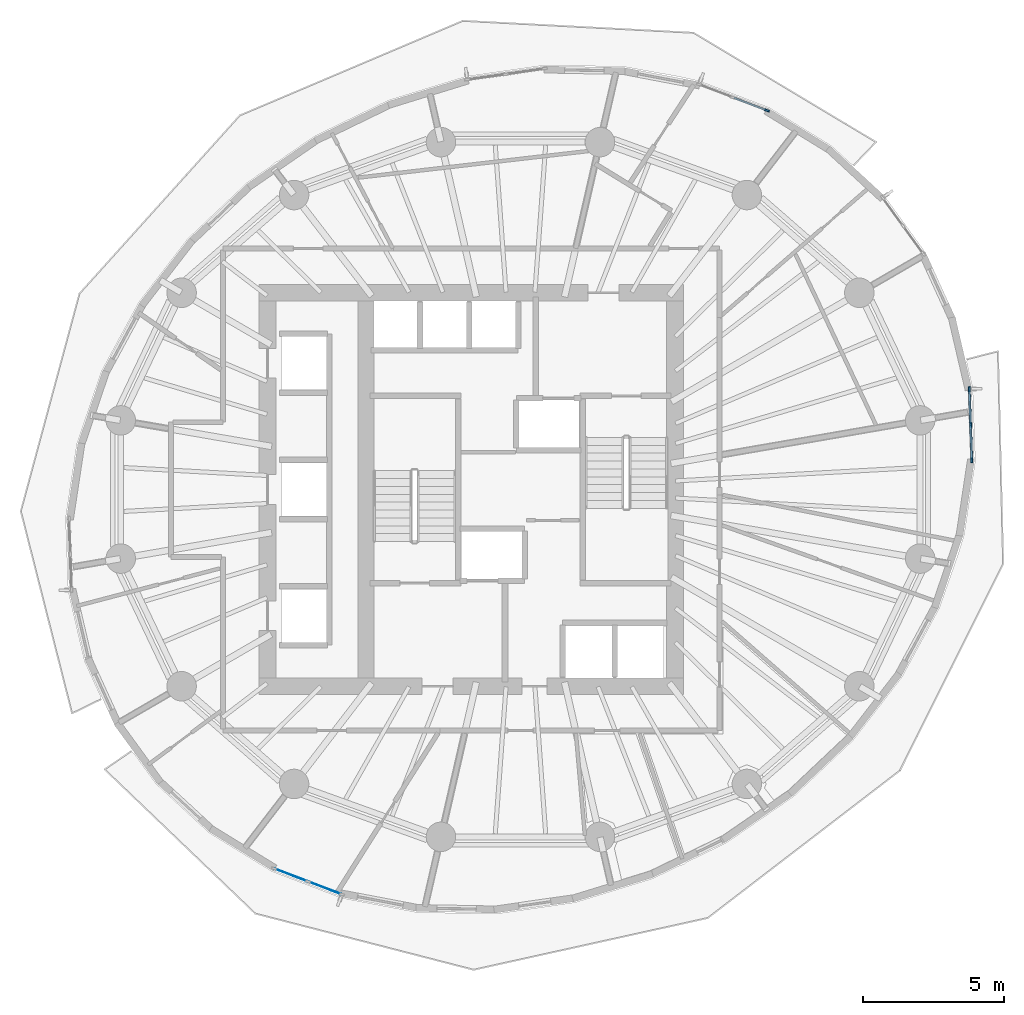
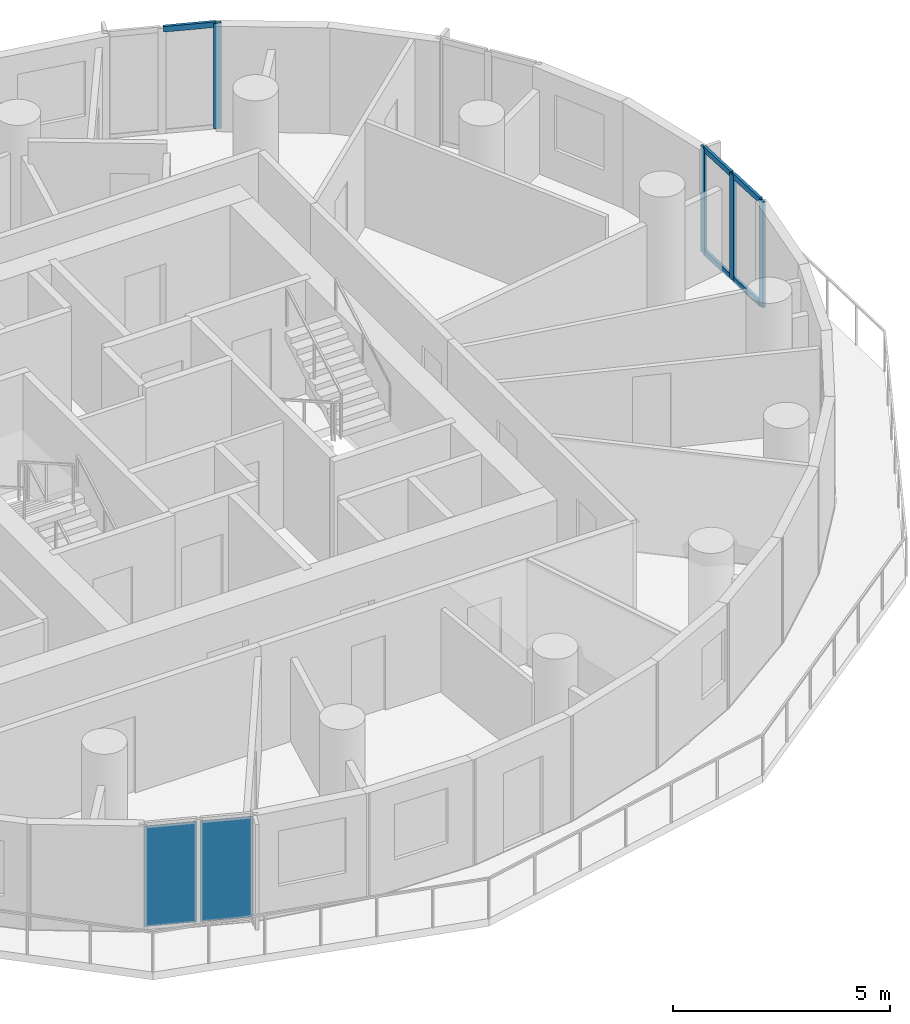
# One storey, part 4 of 14: 9 members, 2 plates, 3 elements without a shape of their own.
"""IFC4 building model written with IfcOpenShell, lengths in metres."""

from ifc_helpers import new_model, si_unit, direction, frame, origin, origin_2d, place, context, subcontext, project, spatial, rectangle, extrude, material, layer, layer_set, material_profile, profile_set, type_object, element, aggregate, save


model = new_model("IFC4")

# Units and contexts
model_context = context("Model", 3, precision=1e-05, world=origin(), true_north=direction((0.0, 1.0)))
body_context = subcontext(model_context, "Body", "Model", "MODEL_VIEW")
ifc_project = project(units=[si_unit("LENGTHUNIT", "METRE"), si_unit("AREAUNIT", "SQUARE_METRE"), si_unit("VOLUMEUNIT", "CUBIC_METRE"), si_unit("PLANEANGLEUNIT", "RADIAN"), si_unit("MASSUNIT", "GRAM", prefix="KILO")], contexts=[model_context])

# Site, building, storey
site_placement = place(None, origin())
site = spatial("IfcSite", under=ifc_project, at=site_placement, CompositionType="ELEMENT")
building_placement = place(site_placement, origin())
building = spatial("IfcBuilding", under=site, at=building_placement, Name="Veldorim Arch Residences", CompositionType="ELEMENT")
storey_placement = place(building_placement, frame((0.0, 0.0, 126.56005859375)))
storey = spatial("IfcBuildingStorey", under=building, at=storey_placement, Name="L37", CompositionType="ELEMENT", Elevation=126.56005859375)

# Curtain wall, member
ifc_material_1 = material(Name="Aluminium", Category="aluminium")
curtain_wall_type = type_object("IfcCurtainWallType", Name="Zone 3 High-Wind Unitised Curtain Wall", PredefinedType="NOTDEFINED", material=ifc_material_1)
curtain_wall_1_placement = place(storey_placement, origin())
curtain_wall_1 = element("IfcCurtainWall", 1, at=curtain_wall_1_placement, inside=storey, type_object=curtain_wall_type, Name="L37 unitised curtain wall bay 04", PredefinedType="NOTDEFINED")
ifc_material_2 = material(Name="Aluminium", Category="aluminium")
ifc_material_profile_1 = material_profile(ifc_material_2, rectangle(XDim=0.070068359375, YDim=0.179931640625, at=origin_2d()), Name="ALU_MUL_70x180")
ifc_profile_set_1 = profile_set([ifc_material_profile_1], Name="Aluminium")
member_type_1 = type_object("IfcMemberType", Name="Zone 3 High-Wind Unitised Curtain Wall Mullion 70x180", PredefinedType="MULLION", material=ifc_profile_set_1)
member_1_placement = place(storey_placement, frame((40.7734375, 37.484130859375, 0.0), z_axis=(0.0, 0.0, 1.0), x_axis=(0.356987085335, 0.934109319568, 0.0)))
member_1 = element("IfcMember", 2, at=member_1_placement, type_object=member_type_1, Name="CW-Z3 mullion 3", PredefinedType="MULLION", context=body_context, shape_type="SweptSolid", body=[
    extrude(rectangle(XDim=0.070068359375, YDim=0.179931640625, at=origin_2d()), origin(), (0.0, 0.0, 1.0), 2.9599609375),
])

# Curtain wall, members
curtain_wall_2_placement = place(storey_placement, origin())
curtain_wall_2 = element("IfcCurtainWall", 3, at=curtain_wall_2_placement, inside=storey, type_object=curtain_wall_type, Name="L37 unitised curtain wall bay 34", PredefinedType="NOTDEFINED")
member_2_placement = place(storey_placement, frame((47.9697265625, 27.57470703125, 0.0), z_axis=(0.0, 0.0, 1.0), x_axis=(0.999369736243, 0.035498313784, 0.0)))
member_2 = element("IfcMember", 4, at=member_2_placement, type_object=member_type_1, Name="CW-Z3 mullion 1", PredefinedType="MULLION", context=body_context, shape_type="SweptSolid", body=[
    extrude(rectangle(XDim=0.070068359375, YDim=0.179931640625, at=origin_2d()), origin(), (0.0, 0.0, 1.0), 2.9599609375),
])
member_3_placement = place(storey_placement, frame((48.014892578125, 26.30908203125, 0.0), z_axis=(0.0, 0.0, 1.0), x_axis=(0.999369736243, 0.035498313784, 0.0)))
member_3 = element("IfcMember", 5, at=member_3_placement, type_object=member_type_1, Name="CW-Z3 mullion 2", PredefinedType="MULLION", context=body_context, shape_type="SweptSolid", body=[
    extrude(rectangle(XDim=0.070068359375, YDim=0.179931640625, at=origin_2d()), origin(), (0.0, 0.0, 1.0), 2.9599609375),
])
member_4_placement = place(storey_placement, frame((48.059814453125, 25.04345703125, 0.0), z_axis=(0.0, 0.0, 1.0), x_axis=(0.999369736243, 0.035498313784, 0.0)))
member_4 = element("IfcMember", 6, at=member_4_placement, type_object=member_type_1, Name="CW-Z3 mullion 3", PredefinedType="MULLION", context=body_context, shape_type="SweptSolid", body=[
    extrude(rectangle(XDim=0.070068359375, YDim=0.179931640625, at=origin_2d()), origin(), (0.0, 0.0, 1.0), 2.9599609375),
])

# Member
ifc_material_3 = material(Name="Aluminium", Category="aluminium")
ifc_material_profile_2 = material_profile(ifc_material_3, rectangle(XDim=0.070068359375, YDim=0.155029296875, at=origin_2d()), Name="ALU_TRN_70x155")
ifc_profile_set_2 = profile_set([ifc_material_profile_2], Name="Aluminium")
member_type_2 = type_object("IfcMemberType", Name="Zone 3 High-Wind Unitised Curtain Wall Transom 70x155", PredefinedType="USERDEFINED", material=ifc_profile_set_2)
member_5_placement = place(storey_placement, frame((39.595703125, 37.934326171875, 2.925048828125), z_axis=(0.934067466256, -0.357096581449, 0.0), x_axis=(0.357096581449, 0.934067466256, 0.0)))
member_5 = element("IfcMember", 7, at=member_5_placement, type_object=member_type_2, Name="CW-Z3 transom 2.2", ObjectType="TRANSOM", PredefinedType="USERDEFINED", context=body_context, shape_type="SweptSolid", body=[
    extrude(rectangle(XDim=0.070068359375, YDim=0.155029296875, at=origin_2d()), origin(), (0.0, 0.0, 1.0), 1.225830078125),
])

aggregate(curtain_wall_1, [member_1, member_5])

member_6_placement = place(storey_placement, frame((47.97119140625, 27.539794921875, 0.034912109375), z_axis=(0.035502308986, -0.999369594323, 0.0), x_axis=(0.999369594323, 0.035502308986, 0.0)))
member_6 = element("IfcMember", 8, at=member_6_placement, type_object=member_type_2, Name="CW-Z3 transom 1.1", ObjectType="TRANSOM", PredefinedType="USERDEFINED", context=body_context, shape_type="SweptSolid", body=[
    extrude(rectangle(XDim=0.070068359375, YDim=0.155029296875, at=origin_2d()), origin(), (0.0, 0.0, 1.0), 1.196533203125),
])

member_7_placement = place(storey_placement, frame((47.97119140625, 27.539794921875, 2.925048828125), z_axis=(0.035502308986, -0.999369594323, 0.0), x_axis=(0.999369594323, 0.035502308986, 0.0)))
member_7 = element("IfcMember", 9, at=member_7_placement, type_object=member_type_2, Name="CW-Z3 transom 1.2", ObjectType="TRANSOM", PredefinedType="USERDEFINED", context=body_context, shape_type="SweptSolid", body=[
    extrude(rectangle(XDim=0.070068359375, YDim=0.155029296875, at=origin_2d()), origin(), (0.0, 0.0, 1.0), 1.196533203125),
])

member_8_placement = place(storey_placement, frame((48.01611328125, 26.274169921875, 0.034912109375), z_axis=(0.035502308986, -0.999369594323, 0.0), x_axis=(0.999369594323, 0.035502308986, 0.0)))
member_8 = element("IfcMember", 10, at=member_8_placement, type_object=member_type_2, Name="CW-Z3 transom 2.1", ObjectType="TRANSOM", PredefinedType="USERDEFINED", context=body_context, shape_type="SweptSolid", body=[
    extrude(rectangle(XDim=0.070068359375, YDim=0.155029296875, at=origin_2d()), origin(), (0.0, 0.0, 1.0), 1.196533203125),
])

member_9_placement = place(storey_placement, frame((48.01611328125, 26.274169921875, 2.925048828125), z_axis=(0.035502308986, -0.999369594323, 0.0), x_axis=(0.999369594323, 0.035502308986, 0.0)))
member_9 = element("IfcMember", 11, at=member_9_placement, type_object=member_type_2, Name="CW-Z3 transom 2.2", ObjectType="TRANSOM", PredefinedType="USERDEFINED", context=body_context, shape_type="SweptSolid", body=[
    extrude(rectangle(XDim=0.070068359375, YDim=0.155029296875, at=origin_2d()), origin(), (0.0, 0.0, 1.0), 1.196533203125),
])

aggregate(curtain_wall_2, [member_2, member_3, member_4, member_6, member_7, member_8, member_9])

# Curtain wall, plates
curtain_wall_3_placement = place(storey_placement, origin())
curtain_wall_3 = element("IfcCurtainWall", 12, at=curtain_wall_3_placement, inside=storey, type_object=curtain_wall_type, Name="L37 unitised curtain wall bay 22", PredefinedType="NOTDEFINED")
ifc_material_4 = material(Name="Laminated Low-E Glass", Category="glass")
ifc_layer = layer(ifc_material_4, 0.028076171875, Name="Zone 3 High-Wind Unitised Curtain Wall Glazing Panel 28")
ifc_layer_set = layer_set([ifc_layer], Name="Laminated Low-E Glass")
plate_type = type_object("IfcPlateType", Name="Zone 3 High-Wind Unitised Curtain Wall Glazing Panel 28", PredefinedType="CURTAIN_PANEL", material=ifc_layer_set)
plate_1_placement = place(storey_placement, frame((25.04248046875, 9.82177734375, 0.06982421875), z_axis=(0.0, 0.0, 1.0), x_axis=(-0.934109319568, 0.356987085335, 0.0)))
plate_1 = element("IfcPlate", 13, at=plate_1_placement, type_object=plate_type, Name="CW-Z3 panel 1.1", PredefinedType="CURTAIN_PANEL", context=body_context, shape_type="SweptSolid", body=[
    extrude(rectangle(XDim=1.22607421875, YDim=0.028076171875, at=origin_2d()), origin(), (0.0, 0.0, 1.0), 2.820068359375),
])
plate_2_placement = place(storey_placement, frame((23.831787109375, 10.284423828125, 0.06982421875), z_axis=(0.0, 0.0, 1.0), x_axis=(-0.934109319568, 0.356987085335, 0.0)))
plate_2 = element("IfcPlate", 14, at=plate_2_placement, type_object=plate_type, Name="CW-Z3 panel 2.1", PredefinedType="CURTAIN_PANEL", context=body_context, shape_type="SweptSolid", body=[
    extrude(rectangle(XDim=1.22607421875, YDim=0.028076171875, at=origin_2d()), origin(), (0.0, 0.0, 1.0), 2.820068359375),
])
aggregate(curtain_wall_3, [plate_1, plate_2])

save(model, "model.ifc")
